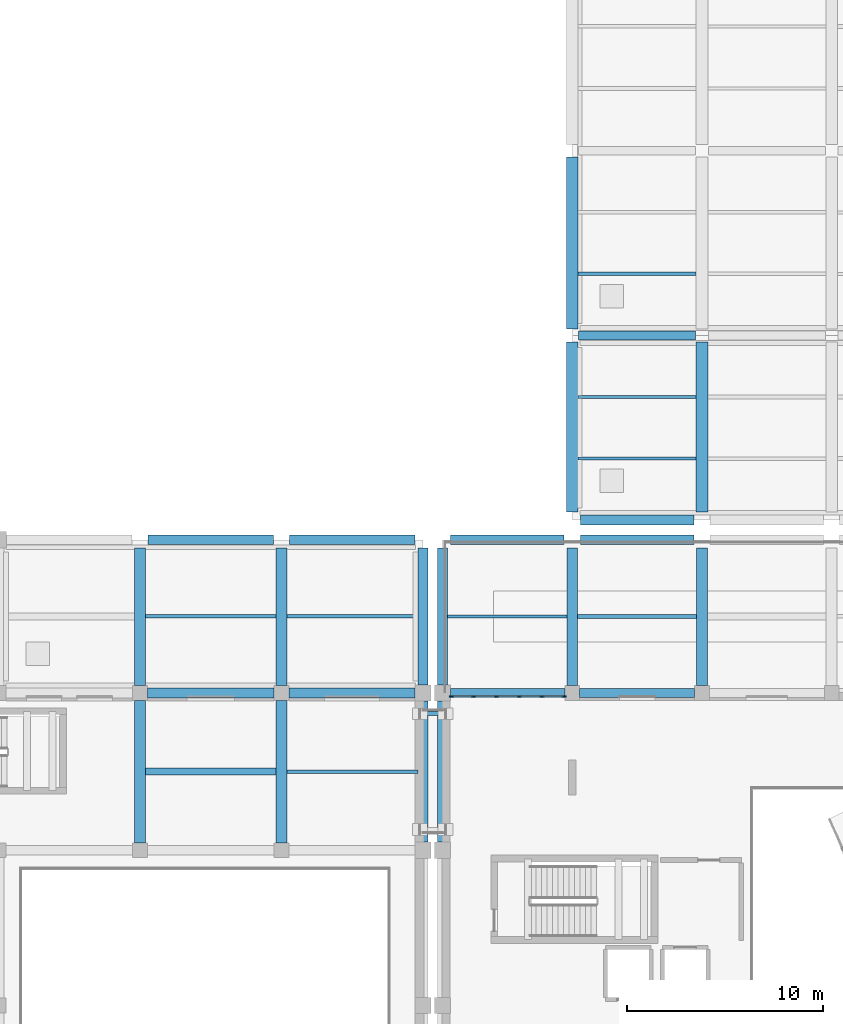
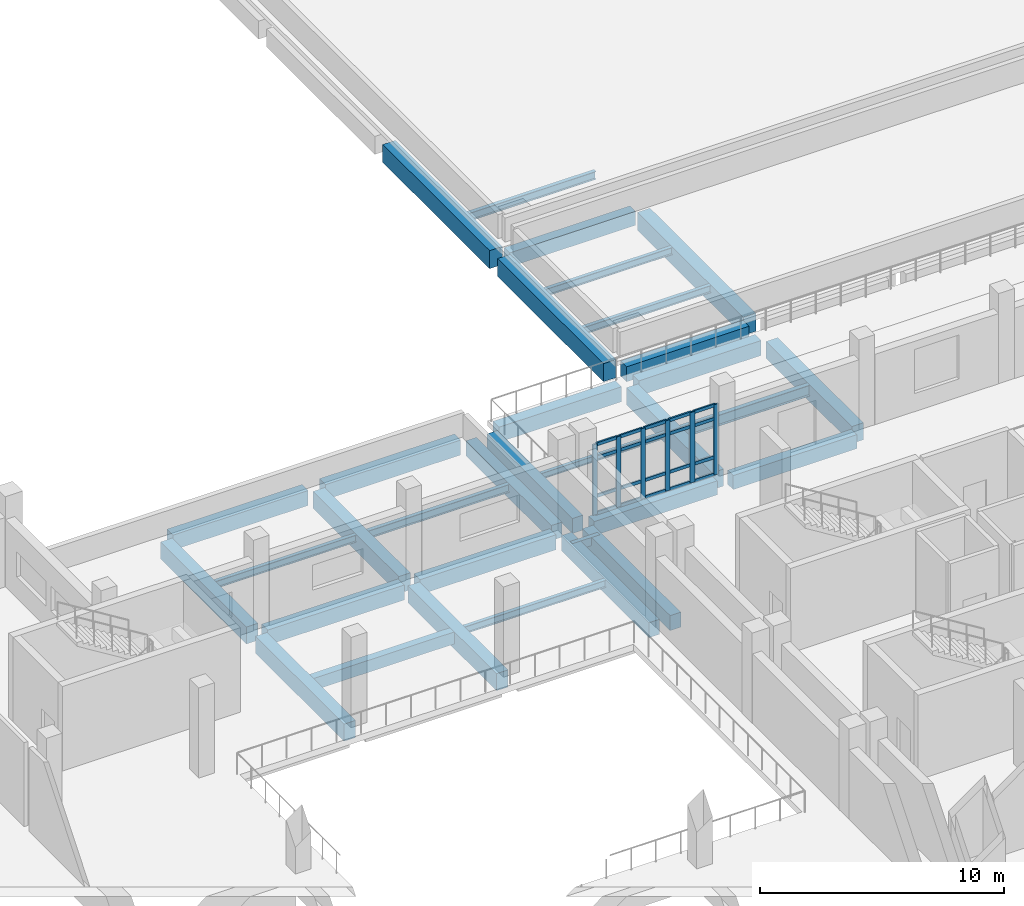
# One storey, part 20 of 54: 33 beams, 26 members, 1 element without a shape of its own.
"""IFC4 building model written with IfcOpenShell, lengths in metres."""

from ifc_helpers import new_model, si_unit, direction, frame, origin, origin_2d, place, context, subcontext, project, spatial, rectangle, hollow_rectangle, i_section, extrude, material, layer, layer_set, material_profile, profile_set, type_object, element, aggregate, save


model = new_model("IFC4")

# Units and contexts
model_context = context("Model", 3, precision=1e-05, world=origin(), true_north=direction((0.0, 1.0)))
body_context = subcontext(model_context, "Body", "Model", "MODEL_VIEW")
ifc_project = project(units=[si_unit("LENGTHUNIT", "METRE"), si_unit("AREAUNIT", "SQUARE_METRE"), si_unit("VOLUMEUNIT", "CUBIC_METRE"), si_unit("PLANEANGLEUNIT", "RADIAN"), si_unit("MASSUNIT", "GRAM", prefix="KILO")], contexts=[model_context])

# Site, building, storey
site_placement = place(None, origin())
site = spatial("IfcSite", under=ifc_project, at=site_placement, CompositionType="ELEMENT")
building_placement = place(site_placement, origin())
building = spatial("IfcBuilding", under=site, at=building_placement, Name="Kelarvand Opera House", CompositionType="ELEMENT")
storey_placement = place(building_placement, frame((0.0, 0.0, 15.0)))
storey = spatial("IfcBuildingStorey", under=building, at=storey_placement, Name="L03", CompositionType="ELEMENT", Elevation=15.0)

# Curtain wall, members
ifc_material_1 = material(Name="Thermally broken aluminium and low-E glazing", Category="aluminium")
ifc_layer = layer(ifc_material_1, 0.219970703125, Name="Thermally broken aluminium and low-E glazing", Category="aluminium")
ifc_layer_set = layer_set([ifc_layer], Name="Thermally broken aluminium and low-E glazing")
curtain_wall_type = type_object("IfcCurtainWallType", Name="Unitised Low-E Curtain Wall 5795x3520 Mod 1150 CWF-08", PredefinedType="USERDEFINED", material=ifc_layer_set)
curtain_wall_placement = place(storey_placement, origin())
curtain_wall = element("IfcCurtainWall", 1, at=curtain_wall_placement, inside=storey, type_object=curtain_wall_type, Name="V1 L03 Curtain Wall CWF-08 (23)", ObjectType="UNITISED CURTAIN WALL", PredefinedType="USERDEFINED")
ifc_material_2 = material(Name="Thermally broken anodised aluminium", Category="aluminium")
ifc_material_profile_1 = material_profile(ifc_material_2, rectangle(XDim=0.074951171875, YDim=0.219970703125, at=origin_2d()), Name="ALU MULLION 75x220", Category="aluminium")
ifc_profile_set_1 = profile_set([ifc_material_profile_1], Name="Thermally broken anodised aluminium")
member_type_1 = type_object("IfcMemberType", Name="Curtain Wall Mullion 75x220 Heavy Plaza", PredefinedType="MULLION", material=ifc_profile_set_1)
member_1_placement = place(storey_placement, frame((89.45751953125, 78.219970703125, 0.0), z_axis=(0.0, 0.0, 1.0), x_axis=(0.0, 1.0, 0.0)))
member_1 = element("IfcMember", 2, at=member_1_placement, type_object=member_type_1, Name="CWF-08 mullion 1", PredefinedType="MULLION", context=body_context, shape_type="SweptSolid", body=[
    extrude(rectangle(XDim=0.074951171875, YDim=0.219970703125, at=origin_2d()), origin(), (0.0, 0.0, 1.0), 3.52001953125),
])
member_2_placement = place(storey_placement, frame((90.5791015625, 78.219970703125, 0.0), z_axis=(0.0, 0.0, 1.0), x_axis=(0.0, 1.0, 0.0)))
member_2 = element("IfcMember", 3, at=member_2_placement, type_object=member_type_1, Name="CWF-08 mullion 2", PredefinedType="MULLION", context=body_context, shape_type="SweptSolid", body=[
    extrude(rectangle(XDim=0.074951171875, YDim=0.219970703125, at=origin_2d()), origin(), (0.0, 0.0, 1.0), 3.52001953125),
])
member_3_placement = place(storey_placement, frame((91.738037109375, 78.219970703125, 0.0), z_axis=(0.0, 0.0, 1.0), x_axis=(0.0, 1.0, 0.0)))
member_3 = element("IfcMember", 4, at=member_3_placement, type_object=member_type_1, Name="CWF-08 mullion 3", PredefinedType="MULLION", context=body_context, shape_type="SweptSolid", body=[
    extrude(rectangle(XDim=0.074951171875, YDim=0.219970703125, at=origin_2d()), origin(), (0.0, 0.0, 1.0), 3.52001953125),
])
member_4_placement = place(storey_placement, frame((92.89697265625, 78.219970703125, 0.0), z_axis=(0.0, 0.0, 1.0), x_axis=(0.0, 1.0, 0.0)))
member_4 = element("IfcMember", 5, at=member_4_placement, type_object=member_type_1, Name="CWF-08 mullion 4", PredefinedType="MULLION", context=body_context, shape_type="SweptSolid", body=[
    extrude(rectangle(XDim=0.074951171875, YDim=0.219970703125, at=origin_2d()), origin(), (0.0, 0.0, 1.0), 3.52001953125),
])
member_5_placement = place(storey_placement, frame((94.055908203125, 78.219970703125, 0.0), z_axis=(0.0, 0.0, 1.0), x_axis=(0.0, 1.0, 0.0)))
member_5 = element("IfcMember", 6, at=member_5_placement, type_object=member_type_1, Name="CWF-08 mullion 5", PredefinedType="MULLION", context=body_context, shape_type="SweptSolid", body=[
    extrude(rectangle(XDim=0.074951171875, YDim=0.219970703125, at=origin_2d()), origin(), (0.0, 0.0, 1.0), 3.52001953125),
])
member_6_placement = place(storey_placement, frame((95.177490234375, 78.219970703125, 0.0), z_axis=(0.0, 0.0, 1.0), x_axis=(0.0, 1.0, 0.0)))
member_6 = element("IfcMember", 7, at=member_6_placement, type_object=member_type_1, Name="CWF-08 mullion 6", PredefinedType="MULLION", context=body_context, shape_type="SweptSolid", body=[
    extrude(rectangle(XDim=0.074951171875, YDim=0.219970703125, at=origin_2d()), origin(), (0.0, 0.0, 1.0), 3.52001953125),
])
ifc_material_profile_2 = material_profile(ifc_material_2, rectangle(XDim=0.074951171875, YDim=0.159912109375, at=origin_2d()), Name="ALU TRANSOM 75x160", Category="aluminium")
ifc_profile_set_2 = profile_set([ifc_material_profile_2], Name="Thermally broken anodised aluminium")
member_type_2 = type_object("IfcMemberType", Name="Curtain Wall Transom 75x160 Heavy Plaza", PredefinedType="USERDEFINED", material=ifc_profile_set_2)
member_7_placement = place(storey_placement, frame((89.4951171875, 78.219970703125, 0.03759765625), z_axis=(1.0, 0.0, 0.0), x_axis=(0.0, 1.0, 0.0)))
member_7 = element("IfcMember", 8, at=member_7_placement, type_object=member_type_2, Name="CWF-08 transom 1.1", ObjectType="TRANSOM", PredefinedType="USERDEFINED", context=body_context, shape_type="SweptSolid", body=[
    extrude(rectangle(XDim=0.074951171875, YDim=0.159912109375, at=origin_2d()), origin(), (0.0, 0.0, 1.0), 1.04638671875),
])
member_8_placement = place(storey_placement, frame((89.4951171875, 78.219970703125, 0.89990234375), z_axis=(1.0, 0.0, 0.0), x_axis=(0.0, 1.0, 0.0)))
member_8 = element("IfcMember", 9, at=member_8_placement, type_object=member_type_2, Name="CWF-08 transom 1.2", ObjectType="TRANSOM", PredefinedType="USERDEFINED", context=body_context, shape_type="SweptSolid", body=[
    extrude(rectangle(XDim=0.074951171875, YDim=0.159912109375, at=origin_2d()), origin(), (0.0, 0.0, 1.0), 1.04638671875),
])
member_9_placement = place(storey_placement, frame((89.4951171875, 78.219970703125, 2.820068359375), z_axis=(1.0, 0.0, 0.0), x_axis=(0.0, 1.0, 0.0)))
member_9 = element("IfcMember", 10, at=member_9_placement, type_object=member_type_2, Name="CWF-08 transom 1.3", ObjectType="TRANSOM", PredefinedType="USERDEFINED", context=body_context, shape_type="SweptSolid", body=[
    extrude(rectangle(XDim=0.074951171875, YDim=0.159912109375, at=origin_2d()), origin(), (0.0, 0.0, 1.0), 1.04638671875),
])
member_10_placement = place(storey_placement, frame((89.4951171875, 78.219970703125, 3.482421875), z_axis=(1.0, 0.0, 0.0), x_axis=(0.0, 1.0, 0.0)))
member_10 = element("IfcMember", 11, at=member_10_placement, type_object=member_type_2, Name="CWF-08 transom 1.4", ObjectType="TRANSOM", PredefinedType="USERDEFINED", context=body_context, shape_type="SweptSolid", body=[
    extrude(rectangle(XDim=0.074951171875, YDim=0.159912109375, at=origin_2d()), origin(), (0.0, 0.0, 1.0), 1.04638671875),
])
member_11_placement = place(storey_placement, frame((90.616455078125, 78.219970703125, 0.03759765625), z_axis=(1.0, 0.0, 0.0), x_axis=(0.0, 1.0, 0.0)))
member_11 = element("IfcMember", 12, at=member_11_placement, type_object=member_type_2, Name="CWF-08 transom 2.1", ObjectType="TRANSOM", PredefinedType="USERDEFINED", context=body_context, shape_type="SweptSolid", body=[
    extrude(rectangle(XDim=0.074951171875, YDim=0.159912109375, at=origin_2d()), origin(), (0.0, 0.0, 1.0), 1.083984375),
])
member_12_placement = place(storey_placement, frame((90.616455078125, 78.219970703125, 0.89990234375), z_axis=(1.0, 0.0, 0.0), x_axis=(0.0, 1.0, 0.0)))
member_12 = element("IfcMember", 13, at=member_12_placement, type_object=member_type_2, Name="CWF-08 transom 2.2", ObjectType="TRANSOM", PredefinedType="USERDEFINED", context=body_context, shape_type="SweptSolid", body=[
    extrude(rectangle(XDim=0.074951171875, YDim=0.159912109375, at=origin_2d()), origin(), (0.0, 0.0, 1.0), 1.083984375),
])
member_13_placement = place(storey_placement, frame((90.616455078125, 78.219970703125, 2.820068359375), z_axis=(1.0, 0.0, 0.0), x_axis=(0.0, 1.0, 0.0)))
member_13 = element("IfcMember", 14, at=member_13_placement, type_object=member_type_2, Name="CWF-08 transom 2.3", ObjectType="TRANSOM", PredefinedType="USERDEFINED", context=body_context, shape_type="SweptSolid", body=[
    extrude(rectangle(XDim=0.074951171875, YDim=0.159912109375, at=origin_2d()), origin(), (0.0, 0.0, 1.0), 1.083984375),
])
member_14_placement = place(storey_placement, frame((90.616455078125, 78.219970703125, 3.482421875), z_axis=(1.0, 0.0, 0.0), x_axis=(0.0, 1.0, 0.0)))
member_14 = element("IfcMember", 15, at=member_14_placement, type_object=member_type_2, Name="CWF-08 transom 2.4", ObjectType="TRANSOM", PredefinedType="USERDEFINED", context=body_context, shape_type="SweptSolid", body=[
    extrude(rectangle(XDim=0.074951171875, YDim=0.159912109375, at=origin_2d()), origin(), (0.0, 0.0, 1.0), 1.083984375),
])
member_15_placement = place(storey_placement, frame((91.775390625, 78.219970703125, 0.03759765625), z_axis=(1.0, 0.0, 0.0), x_axis=(0.0, 1.0, 0.0)))
member_15 = element("IfcMember", 16, at=member_15_placement, type_object=member_type_2, Name="CWF-08 transom 3.1", ObjectType="TRANSOM", PredefinedType="USERDEFINED", context=body_context, shape_type="SweptSolid", body=[
    extrude(rectangle(XDim=0.074951171875, YDim=0.159912109375, at=origin_2d()), origin(), (0.0, 0.0, 1.0), 1.084228515625),
])
member_16_placement = place(storey_placement, frame((91.775390625, 78.219970703125, 0.89990234375), z_axis=(1.0, 0.0, 0.0), x_axis=(0.0, 1.0, 0.0)))
member_16 = element("IfcMember", 17, at=member_16_placement, type_object=member_type_2, Name="CWF-08 transom 3.2", ObjectType="TRANSOM", PredefinedType="USERDEFINED", context=body_context, shape_type="SweptSolid", body=[
    extrude(rectangle(XDim=0.074951171875, YDim=0.159912109375, at=origin_2d()), origin(), (0.0, 0.0, 1.0), 1.084228515625),
])
member_17_placement = place(storey_placement, frame((91.775390625, 78.219970703125, 2.820068359375), z_axis=(1.0, 0.0, 0.0), x_axis=(0.0, 1.0, 0.0)))
member_17 = element("IfcMember", 18, at=member_17_placement, type_object=member_type_2, Name="CWF-08 transom 3.3", ObjectType="TRANSOM", PredefinedType="USERDEFINED", context=body_context, shape_type="SweptSolid", body=[
    extrude(rectangle(XDim=0.074951171875, YDim=0.159912109375, at=origin_2d()), origin(), (0.0, 0.0, 1.0), 1.084228515625),
])
member_18_placement = place(storey_placement, frame((91.775390625, 78.219970703125, 3.482421875), z_axis=(1.0, 0.0, 0.0), x_axis=(0.0, 1.0, 0.0)))
member_18 = element("IfcMember", 19, at=member_18_placement, type_object=member_type_2, Name="CWF-08 transom 3.4", ObjectType="TRANSOM", PredefinedType="USERDEFINED", context=body_context, shape_type="SweptSolid", body=[
    extrude(rectangle(XDim=0.074951171875, YDim=0.159912109375, at=origin_2d()), origin(), (0.0, 0.0, 1.0), 1.084228515625),
])
member_19_placement = place(storey_placement, frame((92.9345703125, 78.219970703125, 0.03759765625), z_axis=(1.0, 0.0, 0.0), x_axis=(0.0, 1.0, 0.0)))
member_19 = element("IfcMember", 20, at=member_19_placement, type_object=member_type_2, Name="CWF-08 transom 4.1", ObjectType="TRANSOM", PredefinedType="USERDEFINED", context=body_context, shape_type="SweptSolid", body=[
    extrude(rectangle(XDim=0.074951171875, YDim=0.159912109375, at=origin_2d()), origin(), (0.0, 0.0, 1.0), 1.083984375),
])
member_20_placement = place(storey_placement, frame((92.9345703125, 78.219970703125, 0.89990234375), z_axis=(1.0, 0.0, 0.0), x_axis=(0.0, 1.0, 0.0)))
member_20 = element("IfcMember", 21, at=member_20_placement, type_object=member_type_2, Name="CWF-08 transom 4.2", ObjectType="TRANSOM", PredefinedType="USERDEFINED", context=body_context, shape_type="SweptSolid", body=[
    extrude(rectangle(XDim=0.074951171875, YDim=0.159912109375, at=origin_2d()), origin(), (0.0, 0.0, 1.0), 1.083984375),
])
member_21_placement = place(storey_placement, frame((92.9345703125, 78.219970703125, 2.820068359375), z_axis=(1.0, 0.0, 0.0), x_axis=(0.0, 1.0, 0.0)))
member_21 = element("IfcMember", 22, at=member_21_placement, type_object=member_type_2, Name="CWF-08 transom 4.3", ObjectType="TRANSOM", PredefinedType="USERDEFINED", context=body_context, shape_type="SweptSolid", body=[
    extrude(rectangle(XDim=0.074951171875, YDim=0.159912109375, at=origin_2d()), origin(), (0.0, 0.0, 1.0), 1.083984375),
])
member_22_placement = place(storey_placement, frame((92.9345703125, 78.219970703125, 3.482421875), z_axis=(1.0, 0.0, 0.0), x_axis=(0.0, 1.0, 0.0)))
member_22 = element("IfcMember", 23, at=member_22_placement, type_object=member_type_2, Name="CWF-08 transom 4.4", ObjectType="TRANSOM", PredefinedType="USERDEFINED", context=body_context, shape_type="SweptSolid", body=[
    extrude(rectangle(XDim=0.074951171875, YDim=0.159912109375, at=origin_2d()), origin(), (0.0, 0.0, 1.0), 1.083984375),
])
member_23_placement = place(storey_placement, frame((94.093505859375, 78.219970703125, 0.03759765625), z_axis=(1.0, 0.0, 0.0), x_axis=(0.0, 1.0, 0.0)))
member_23 = element("IfcMember", 24, at=member_23_placement, type_object=member_type_2, Name="CWF-08 transom 5.1", ObjectType="TRANSOM", PredefinedType="USERDEFINED", context=body_context, shape_type="SweptSolid", body=[
    extrude(rectangle(XDim=0.074951171875, YDim=0.159912109375, at=origin_2d()), origin(), (0.0, 0.0, 1.0), 1.04638671875),
])
member_24_placement = place(storey_placement, frame((94.093505859375, 78.219970703125, 0.89990234375), z_axis=(1.0, 0.0, 0.0), x_axis=(0.0, 1.0, 0.0)))
member_24 = element("IfcMember", 25, at=member_24_placement, type_object=member_type_2, Name="CWF-08 transom 5.2", ObjectType="TRANSOM", PredefinedType="USERDEFINED", context=body_context, shape_type="SweptSolid", body=[
    extrude(rectangle(XDim=0.074951171875, YDim=0.159912109375, at=origin_2d()), origin(), (0.0, 0.0, 1.0), 1.04638671875),
])
member_25_placement = place(storey_placement, frame((94.093505859375, 78.219970703125, 2.820068359375), z_axis=(1.0, 0.0, 0.0), x_axis=(0.0, 1.0, 0.0)))
member_25 = element("IfcMember", 26, at=member_25_placement, type_object=member_type_2, Name="CWF-08 transom 5.3", ObjectType="TRANSOM", PredefinedType="USERDEFINED", context=body_context, shape_type="SweptSolid", body=[
    extrude(rectangle(XDim=0.074951171875, YDim=0.159912109375, at=origin_2d()), origin(), (0.0, 0.0, 1.0), 1.04638671875),
])
member_26_placement = place(storey_placement, frame((94.093505859375, 78.219970703125, 3.482421875), z_axis=(1.0, 0.0, 0.0), x_axis=(0.0, 1.0, 0.0)))
member_26 = element("IfcMember", 27, at=member_26_placement, type_object=member_type_2, Name="CWF-08 transom 5.4", ObjectType="TRANSOM", PredefinedType="USERDEFINED", context=body_context, shape_type="SweptSolid", body=[
    extrude(rectangle(XDim=0.074951171875, YDim=0.159912109375, at=origin_2d()), origin(), (0.0, 0.0, 1.0), 1.04638671875),
])
aggregate(curtain_wall, [member_1, member_2, member_3, member_4, member_5, member_6, member_7, member_8, member_9, member_10, member_11, member_12, member_13, member_14, member_15, member_16, member_17, member_18, member_19, member_20, member_21, member_22, member_23, member_24, member_25, member_26])

# Beams
ifc_material_3 = material(Name="Concrete C35/45", Category="concrete")
ifc_material_profile_3 = material_profile(ifc_material_3, rectangle(XDim=0.35009765625, YDim=0.60009765625, at=origin_2d()), Name="RC 350x600", Category="concrete")
ifc_profile_set_3 = profile_set([ifc_material_profile_3], Name="Concrete C35/45")
beam_type_1 = type_object("IfcBeamType", Name="Structural Beam RC 350x600 BM-RC350x600", PredefinedType="BEAM", material=ifc_profile_set_3)
beam_1_placement = place(storey_placement, frame((73.875, 74.39990234375, -0.6201171875), z_axis=(1.0, 0.0, 0.0), x_axis=(0.0, 1.0, 0.0)))
element("IfcBeam", 28, at=beam_1_placement, inside=storey, type_object=beam_type_1, Name="V2 L03 Beam BM-RC350x600", PredefinedType="BEAM", context=body_context, shape_type="SweptSolid", body=[
    extrude(rectangle(XDim=0.35009765625, YDim=0.60009765625, at=origin_2d()), origin(), (0.0, 0.0, 1.0), 6.64990234375),
])
ifc_material_4 = material(Name="Concrete C40/50", Category="concrete")
ifc_material_profile_4 = material_profile(ifc_material_4, rectangle(XDim=0.449951171875, YDim=0.699951171875, at=origin_2d()), Name="RC 450x700", Category="concrete")
ifc_profile_set_4 = profile_set([ifc_material_profile_4], Name="Concrete C40/50")
beam_type_2 = type_object("IfcBeamType", Name="Structural Beam RC 450x700 BM-RC450x700", PredefinedType="BEAM", material=ifc_profile_set_4)
beam_2_placement = place(storey_placement, frame((89.409912109375, 78.39990234375, -0.669921875), z_axis=(1.0, 0.0, 0.0), x_axis=(0.0, 1.0, 0.0)))
element("IfcBeam", 29, at=beam_2_placement, inside=storey, type_object=beam_type_2, Name="V1 L03 Beam BM-RC450x700", PredefinedType="BEAM", context=body_context, shape_type="SweptSolid", body=[
    extrude(rectangle(XDim=0.449951171875, YDim=0.699951171875, at=origin_2d()), origin(), (0.0, 0.0, 1.0), 5.815185546875),
])
beam_3_placement = place(storey_placement, frame((95.97509765625, 78.39990234375, -0.669921875), z_axis=(1.0, 0.0, 0.0), x_axis=(0.0, 1.0, 0.0)))
element("IfcBeam", 30, at=beam_3_placement, inside=storey, type_object=beam_type_2, Name="V1 L03 Beam BM-RC450x700", PredefinedType="BEAM", context=body_context, shape_type="SweptSolid", body=[
    extrude(rectangle(XDim=0.449951171875, YDim=0.699951171875, at=origin_2d()), origin(), (0.0, 0.0, 1.0), 5.849853515625),
])
beam_4_placement = place(storey_placement, frame((95.925048828125, 96.60009765625, -0.570068359375), z_axis=(1.0, 0.0, 0.0), x_axis=(0.0, 1.0, 0.0)))
element("IfcBeam", 31, at=beam_4_placement, inside=storey, type_object=beam_type_2, Name="V5 L03 Beam BM-RC450x700", PredefinedType="BEAM", context=body_context, shape_type="SweptSolid", body=[
    extrude(rectangle(XDim=0.449951171875, YDim=0.699951171875, at=origin_2d()), origin(), (0.0, 0.0, 1.0), 5.949951171875),
])
ifc_material_profile_5 = material_profile(ifc_material_4, rectangle(XDim=0.5, YDim=0.75, at=origin_2d()), Name="RC 500x750", Category="concrete")
ifc_profile_set_5 = profile_set([ifc_material_profile_5], Name="Concrete C40/50")
beam_type_3 = type_object("IfcBeamType", Name="Structural Beam RC 500x750 BM-RC500x750", PredefinedType="BEAM", material=ifc_profile_set_5)
beam_5_placement = place(storey_placement, frame((73.97509765625, 78.39990234375, -0.695068359375), z_axis=(1.0, 0.0, 0.0), x_axis=(0.0, 1.0, 0.0)))
element("IfcBeam", 32, at=beam_5_placement, inside=storey, type_object=beam_type_3, Name="V2 L03 Beam BM-RC500x750", PredefinedType="BEAM", context=body_context, shape_type="SweptSolid", body=[
    extrude(rectangle(XDim=0.5, YDim=0.75, at=origin_2d()), origin(), (0.0, 0.0, 1.0), 6.449951171875),
])
beam_6_placement = place(storey_placement, frame((81.175048828125, 78.39990234375, -0.695068359375), z_axis=(1.0, 0.0, 0.0), x_axis=(0.0, 1.0, 0.0)))
element("IfcBeam", 33, at=beam_6_placement, inside=storey, type_object=beam_type_3, Name="V2 L03 Beam BM-RC500x750", PredefinedType="BEAM", context=body_context, shape_type="SweptSolid", body=[
    extrude(rectangle(XDim=0.5, YDim=0.75, at=origin_2d()), origin(), (0.0, 0.0, 1.0), 6.4150390625),
])
ifc_material_profile_6 = material_profile(ifc_material_4, rectangle(XDim=0.550048828125, YDim=0.85009765625, at=origin_2d()), Name="RC 550x850", Category="concrete")
ifc_profile_set_6 = profile_set([ifc_material_profile_6], Name="Concrete C40/50")
beam_type_4 = type_object("IfcBeamType", Name="Structural Beam RC 550x850 BM-RC550x850", PredefinedType="BEAM", material=ifc_profile_set_6)
for number, where, z_axis, x_axis, name in (
    (34, (95.60009765625, 78.77490234375, -0.7451171875), (0.0, 1.0, 0.0), (-1.0, 0.0, 0.0), "V1 L03 Beam BM-RC550x850"),
    (35, (102.199951171875, 78.77490234375, -0.7451171875), (0.0, 1.0, 0.0), (-1.0, 0.0, 0.0), "V1 L03 Beam BM-RC550x850"),
):
    element("IfcBeam", number, at=place(storey_placement, frame(where, z_axis=z_axis, x_axis=x_axis)), inside=storey, type_object=beam_type_4, Name=name, PredefinedType="BEAM", context=body_context, shape_type="SweptSolid", body=[
        extrude(rectangle(XDim=0.550048828125, YDim=0.85009765625, at=origin_2d()), origin(), (0.0, 0.0, 1.0), 7.01513671875),
    ])
beam_7_placement = place(storey_placement, frame((73.60009765625, 70.77490234375, -0.7451171875), z_axis=(0.0, 1.0, 0.0), x_axis=(-1.0, 0.0, 0.0)))
element("IfcBeam", 36, at=beam_7_placement, inside=storey, type_object=beam_type_4, Name="V2 L03 Beam BM-RC550x850", PredefinedType="BEAM", context=body_context, shape_type="SweptSolid", body=[
    extrude(rectangle(XDim=0.550048828125, YDim=0.85009765625, at=origin_2d()), origin(), (0.0, 0.0, 1.0), 7.25),
])
beam_8_placement = place(storey_placement, frame((73.60009765625, 78.77490234375, -0.7451171875), z_axis=(0.0, 1.0, 0.0), x_axis=(-1.0, 0.0, 0.0)))
element("IfcBeam", 37, at=beam_8_placement, inside=storey, type_object=beam_type_4, Name="V2 L03 Beam BM-RC550x850", PredefinedType="BEAM", context=body_context, shape_type="SweptSolid", body=[
    extrude(rectangle(XDim=0.550048828125, YDim=0.85009765625, at=origin_2d()), origin(), (0.0, 0.0, 1.0), 7.01513671875),
])
beam_9_placement = place(storey_placement, frame((80.800048828125, 70.77490234375, -0.7451171875), z_axis=(0.0, 1.0, 0.0), x_axis=(-1.0, 0.0, 0.0)))
element("IfcBeam", 38, at=beam_9_placement, inside=storey, type_object=beam_type_4, Name="V2 L03 Beam BM-RC550x850", PredefinedType="BEAM", context=body_context, shape_type="SweptSolid", body=[
    extrude(rectangle(XDim=0.550048828125, YDim=0.85009765625, at=origin_2d()), origin(), (0.0, 0.0, 1.0), 7.25),
])
beam_10_placement = place(storey_placement, frame((80.800048828125, 78.77490234375, -0.7451171875), z_axis=(0.0, 1.0, 0.0), x_axis=(-1.0, 0.0, 0.0)))
element("IfcBeam", 39, at=beam_10_placement, inside=storey, type_object=beam_type_4, Name="V2 L03 Beam BM-RC550x850", PredefinedType="BEAM", context=body_context, shape_type="SweptSolid", body=[
    extrude(rectangle(XDim=0.550048828125, YDim=0.85009765625, at=origin_2d()), origin(), (0.0, 0.0, 1.0), 7.01513671875),
])
ifc_material_profile_7 = material_profile(ifc_material_4, rectangle(XDim=0.60009765625, YDim=0.89990234375, at=origin_2d()), Name="RC 600x900", Category="concrete")
ifc_profile_set_7 = profile_set([ifc_material_profile_7], Name="Concrete C40/50")
beam_type_5 = type_object("IfcBeamType", Name="Structural Beam RC 600x900 BM-RC600x900", PredefinedType="BEAM", material=ifc_profile_set_7)
beam_11_placement = place(storey_placement, frame((102.199951171875, 87.610107421875, -0.669921875), z_axis=(0.0, 1.0, 0.0), x_axis=(-1.0, 0.0, 0.0)))
element("IfcBeam", 40, at=beam_11_placement, inside=storey, type_object=beam_type_5, Name="V5 L03 Beam BM-RC600x900", PredefinedType="BEAM", context=body_context, shape_type="SweptSolid", body=[
    extrude(rectangle(XDim=0.60009765625, YDim=0.89990234375, at=origin_2d()), origin(), (0.0, 0.0, 1.0), 8.664794921875),
])
ifc_material_5 = material(Name="Steel S355", Category="steel")
ifc_material_profile_8 = material_profile(ifc_material_5, hollow_rectangle(XDim=0.199951171875, YDim=0.39990234375, WallThickness=0.01611328125, at=origin_2d()), Name="RHS 400x200x16.0", Category="steel")
ifc_profile_set_8 = profile_set([ifc_material_profile_8], Name="Steel S355")
beam_type_6 = type_object("IfcBeamType", Name="Structural Beam RHS 400x200x16.0 BM-RHS400", PredefinedType="BEAM", material=ifc_profile_set_8)
beam_12_placement = place(storey_placement, frame((87.85009765625, 77.35009765625, -0.52001953125), z_axis=(1.0, 0.0, 0.0), x_axis=(0.0, 1.0, 0.0)))
element("IfcBeam", 41, at=beam_12_placement, inside=storey, type_object=beam_type_6, Name="Seismic Sliding Corbel Beam BR-JP-N L03 2", PredefinedType="BEAM", context=body_context, shape_type="SweptSolid", body=[
    extrude(hollow_rectangle(XDim=0.199951171875, YDim=0.39990234375, WallThickness=0.01611328125, at=origin_2d()), origin(), (0.0, 0.0, 1.0), 1.2998046875),
])
ifc_material_profile_9 = material_profile(ifc_material_5, i_section(OverallWidth=0.14990234375, OverallDepth=0.300048828125, WebThickness=0.007080078125, FlangeThickness=0.0107421875, at=origin_2d()), Name="IPE 300", Category="steel")
ifc_profile_set_9 = profile_set([ifc_material_profile_9], Name="Steel S355")
beam_type_7 = type_object("IfcBeamType", Name="Structural Joist IPE 300 JS-IPE300", PredefinedType="JOIST", material=ifc_profile_set_9)
beam_13_placement = place(storey_placement, frame((89.25, 82.300048828125, -0.469970703125), z_axis=(1.0, 0.0, 0.0), x_axis=(0.0, 1.0, 0.0)))
element("IfcBeam", 42, at=beam_13_placement, inside=storey, type_object=beam_type_7, Name="V1 L03 Beam JS-IPE300", PredefinedType="JOIST", context=body_context, shape_type="SweptSolid", body=[
    extrude(i_section(OverallWidth=0.14990234375, OverallDepth=0.300048828125, WebThickness=0.007080078125, FlangeThickness=0.0107421875, at=origin_2d()), origin(), (0.0, 0.0, 1.0), 6.074951171875),
])
ifc_material_profile_10 = material_profile(ifc_material_5, i_section(OverallWidth=0.169921875, OverallDepth=0.360107421875, WebThickness=0.008056640625, FlangeThickness=0.0126953125, at=origin_2d()), Name="IPE 360", Category="steel")
ifc_profile_set_10 = profile_set([ifc_material_profile_10], Name="Steel S355")
beam_type_8 = type_object("IfcBeamType", Name="Structural Joist IPE 360 JS-IPE360", PredefinedType="JOIST", material=ifc_profile_set_10)
beam_14_placement = place(storey_placement, frame((73.875, 82.300048828125, -0.5), z_axis=(1.0, 0.0, 0.0), x_axis=(0.0, 1.0, 0.0)))
element("IfcBeam", 43, at=beam_14_placement, inside=storey, type_object=beam_type_8, Name="V2 L03 Beam JS-IPE360", PredefinedType="JOIST", context=body_context, shape_type="SweptSolid", body=[
    extrude(i_section(OverallWidth=0.169921875, OverallDepth=0.360107421875, WebThickness=0.008056640625, FlangeThickness=0.0126953125, at=origin_2d()), origin(), (0.0, 0.0, 1.0), 6.64990234375),
])
beam_15_placement = place(storey_placement, frame((81.074951171875, 74.39990234375, -0.5), z_axis=(1.0, 0.0, 0.0), x_axis=(0.0, 1.0, 0.0)))
element("IfcBeam", 44, at=beam_15_placement, inside=storey, type_object=beam_type_8, Name="V2 L03 Beam JS-IPE360", PredefinedType="JOIST", context=body_context, shape_type="SweptSolid", body=[
    extrude(i_section(OverallWidth=0.169921875, OverallDepth=0.360107421875, WebThickness=0.008056640625, FlangeThickness=0.0126953125, at=origin_2d()), origin(), (0.0, 0.0, 1.0), 6.675048828125),
])
for number, where, z_axis, x_axis, name in (
    (45, (95.89990234375, 90.333251953125, -0.39990234375), (1.0, 0.0, 0.0), (0.0, 1.0, 0.0), "V5 L03 Beam JS-IPE360"),
    (46, (95.89990234375, 93.466796875, -0.39990234375), (1.0, 0.0, 0.0), (0.0, 1.0, 0.0), "V5 L03 Beam JS-IPE360"),
):
    element("IfcBeam", number, at=place(storey_placement, frame(where, z_axis=z_axis, x_axis=x_axis)), inside=storey, type_object=beam_type_8, Name=name, PredefinedType="JOIST", context=body_context, shape_type="SweptSolid", body=[
        extrude(i_section(OverallWidth=0.169921875, OverallDepth=0.360107421875, WebThickness=0.008056640625, FlangeThickness=0.0126953125, at=origin_2d()), origin(), (0.0, 0.0, 1.0), 6.0),
    ])
ifc_material_profile_11 = material_profile(ifc_material_5, i_section(OverallWidth=0.179931640625, OverallDepth=0.39990234375, WebThickness=0.008544921875, FlangeThickness=0.013427734375, at=origin_2d()), Name="IPE 400", Category="steel")
ifc_profile_set_11 = profile_set([ifc_material_profile_11], Name="Steel S355")
beam_type_9 = type_object("IfcBeamType", Name="Structural Joist IPE 400 JS-IPE400", PredefinedType="JOIST", material=ifc_profile_set_11)
beam_16_placement = place(storey_placement, frame((81.074951171875, 82.300048828125, -0.52001953125), z_axis=(1.0, 0.0, 0.0), x_axis=(0.0, 1.0, 0.0)))
element("IfcBeam", 47, at=beam_16_placement, inside=storey, type_object=beam_type_9, Name="V2 L03 Beam JS-IPE400", PredefinedType="JOIST", context=body_context, shape_type="SweptSolid", body=[
    extrude(i_section(OverallWidth=0.179931640625, OverallDepth=0.39990234375, WebThickness=0.008544921875, FlangeThickness=0.013427734375, at=origin_2d()), origin(), (0.0, 0.0, 1.0), 6.675048828125),
])
beam_17_placement = place(storey_placement, frame((95.89990234375, 99.7333984375, -0.419921875), z_axis=(1.0, 0.0, 0.0), x_axis=(0.0, 1.0, 0.0)))
element("IfcBeam", 48, at=beam_17_placement, inside=storey, type_object=beam_type_9, Name="V5 L03 Beam JS-IPE400", PredefinedType="JOIST", context=body_context, shape_type="SweptSolid", body=[
    extrude(i_section(OverallWidth=0.179931640625, OverallDepth=0.39990234375, WebThickness=0.008544921875, FlangeThickness=0.013427734375, at=origin_2d()), origin(), (0.0, 0.0, 1.0), 6.0),
])
ifc_material_profile_12 = material_profile(ifc_material_5, i_section(OverallWidth=0.2099609375, OverallDepth=0.550048828125, WebThickness=0.010986328125, FlangeThickness=0.01708984375, at=origin_2d()), Name="IPE 550", Category="steel")
ifc_profile_set_12 = profile_set([ifc_material_profile_12], Name="Steel S355")
beam_type_10 = type_object("IfcBeamType", Name="Structural Joist IPE 550 JS-IPE550", PredefinedType="JOIST", material=ifc_profile_set_12)
beam_18_placement = place(storey_placement, frame((95.875, 82.300048828125, -0.594970703125), z_axis=(1.0, 0.0, 0.0), x_axis=(0.0, 1.0, 0.0)))
element("IfcBeam", 49, at=beam_18_placement, inside=storey, type_object=beam_type_10, Name="V1 L03 Beam JS-IPE550", PredefinedType="JOIST", context=body_context, shape_type="SweptSolid", body=[
    extrude(i_section(OverallWidth=0.2099609375, OverallDepth=0.550048828125, WebThickness=0.010986328125, FlangeThickness=0.01708984375, at=origin_2d()), origin(), (0.0, 0.0, 1.0), 6.050048828125),
])
ifc_material_profile_13 = material_profile(ifc_material_4, rectangle(XDim=0.5, YDim=0.75, at=origin_2d()), Name="RC 500x750", Category="concrete")
ifc_profile_set_13 = profile_set([ifc_material_profile_13], Name="Concrete C40/50")
beam_type_11 = type_object("IfcBeamType", Name="Structural Spandrel RC 500x750 SP-RC500x750E", PredefinedType="SPANDREL", material=ifc_profile_set_13)
for number, where, z_axis, x_axis, name in (
    (50, (89.409912109375, 86.199951171875, -0.695068359375), (1.0, 0.0, 0.0), (0.0, 1.0, 0.0), "V1 L03 Beam SP-RC500x750E"),
    (51, (96.010009765625, 86.199951171875, -0.695068359375), (1.0, 0.0, 0.0), (0.0, 1.0, 0.0), "V1 L03 Beam SP-RC500x750E"),
):
    element("IfcBeam", number, at=place(storey_placement, frame(where, z_axis=z_axis, x_axis=x_axis)), inside=storey, type_object=beam_type_11, Name=name, PredefinedType="SPANDREL", context=body_context, shape_type="SweptSolid", body=[
        extrude(rectangle(XDim=0.5, YDim=0.75, at=origin_2d()), origin(), (0.0, 0.0, 1.0), 5.780029296875),
    ])
beam_19_placement = place(storey_placement, frame((89.0, 70.81005859375, -0.695068359375), z_axis=(0.0, 1.0, 0.0), x_axis=(-1.0, 0.0, 0.0)))
element("IfcBeam", 52, at=beam_19_placement, inside=storey, type_object=beam_type_11, Name="V1 L03 Beam SP-RC500x750E", PredefinedType="SPANDREL", context=body_context, shape_type="SweptSolid", body=[
    extrude(rectangle(XDim=0.5, YDim=0.75, at=origin_2d()), origin(), (0.0, 0.0, 1.0), 7.179931640625),
])
beam_20_placement = place(storey_placement, frame((89.0, 78.81005859375, -0.695068359375), z_axis=(0.0, 1.0, 0.0), x_axis=(-1.0, 0.0, 0.0)))
element("IfcBeam", 53, at=beam_20_placement, inside=storey, type_object=beam_type_11, Name="V1 L03 Beam SP-RC500x750E", PredefinedType="SPANDREL", context=body_context, shape_type="SweptSolid", body=[
    extrude(rectangle(XDim=0.5, YDim=0.75, at=origin_2d()), origin(), (0.0, 0.0, 1.0), 6.97998046875),
])
beam_21_placement = place(storey_placement, frame((74.010009765625, 86.199951171875, -0.695068359375), z_axis=(1.0, 0.0, 0.0), x_axis=(0.0, 1.0, 0.0)))
element("IfcBeam", 54, at=beam_21_placement, inside=storey, type_object=beam_type_11, Name="V2 L03 Beam SP-RC500x750E", PredefinedType="SPANDREL", context=body_context, shape_type="SweptSolid", body=[
    extrude(rectangle(XDim=0.5, YDim=0.75, at=origin_2d()), origin(), (0.0, 0.0, 1.0), 6.3798828125),
])
beam_22_placement = place(storey_placement, frame((81.2099609375, 86.199951171875, -0.695068359375), z_axis=(1.0, 0.0, 0.0), x_axis=(0.0, 1.0, 0.0)))
element("IfcBeam", 55, at=beam_22_placement, inside=storey, type_object=beam_type_11, Name="V2 L03 Beam SP-RC500x750E", PredefinedType="SPANDREL", context=body_context, shape_type="SweptSolid", body=[
    extrude(rectangle(XDim=0.5, YDim=0.75, at=origin_2d()), origin(), (0.0, 0.0, 1.0), 6.380126953125),
])
beam_23_placement = place(storey_placement, frame((88.0, 70.81005859375, -0.695068359375), z_axis=(0.0, 1.0, 0.0), x_axis=(-1.0, 0.0, 0.0)))
element("IfcBeam", 56, at=beam_23_placement, inside=storey, type_object=beam_type_11, Name="V2 L03 Beam SP-RC500x750E", PredefinedType="SPANDREL", context=body_context, shape_type="SweptSolid", body=[
    extrude(rectangle(XDim=0.5, YDim=0.75, at=origin_2d()), origin(), (0.0, 0.0, 1.0), 7.179931640625),
])
beam_24_placement = place(storey_placement, frame((88.0, 78.81005859375, -0.695068359375), z_axis=(0.0, 1.0, 0.0), x_axis=(-1.0, 0.0, 0.0)))
element("IfcBeam", 57, at=beam_24_placement, inside=storey, type_object=beam_type_11, Name="V2 L03 Beam SP-RC500x750E", PredefinedType="SPANDREL", context=body_context, shape_type="SweptSolid", body=[
    extrude(rectangle(XDim=0.5, YDim=0.75, at=origin_2d()), origin(), (0.0, 0.0, 1.0), 6.97998046875),
])
beam_25_placement = place(storey_placement, frame((96.010009765625, 87.199951171875, -0.594970703125), z_axis=(1.0, 0.0, 0.0), x_axis=(0.0, 1.0, 0.0)))
element("IfcBeam", 58, at=beam_25_placement, inside=storey, type_object=beam_type_11, Name="V5 L03 Beam SP-RC500x750E", PredefinedType="SPANDREL", context=body_context, shape_type="SweptSolid", body=[
    extrude(rectangle(XDim=0.5, YDim=0.75, at=origin_2d()), origin(), (0.0, 0.0, 1.0), 5.780029296875),
])
ifc_material_profile_14 = material_profile(ifc_material_4, rectangle(XDim=0.60009765625, YDim=0.89990234375, at=origin_2d()), Name="RC 600x900", Category="concrete")
ifc_profile_set_14 = profile_set([ifc_material_profile_14], Name="Concrete C40/50")
beam_type_12 = type_object("IfcBeamType", Name="Structural Spandrel RC 600x900 SP-RC600x900E", PredefinedType="SPANDREL", material=ifc_profile_set_14)
beam_26_placement = place(storey_placement, frame((95.60009765625, 87.610107421875, -0.669921875), z_axis=(0.0, 1.0, 0.0), x_axis=(-1.0, 0.0, 0.0)))
element("IfcBeam", 59, at=beam_26_placement, inside=storey, type_object=beam_type_12, Name="V5 L03 Beam SP-RC600x900E", PredefinedType="SPANDREL", context=body_context, shape_type="SweptSolid", body=[
    extrude(rectangle(XDim=0.60009765625, YDim=0.89990234375, at=origin_2d()), origin(), (0.0, 0.0, 1.0), 8.664794921875),
])
beam_27_placement = place(storey_placement, frame((95.60009765625, 96.925048828125, -0.669921875), z_axis=(0.0, 1.0, 0.0), x_axis=(-1.0, 0.0, 0.0)))
element("IfcBeam", 60, at=beam_27_placement, inside=storey, type_object=beam_type_12, Name="V5 L03 Beam SP-RC600x900E", PredefinedType="SPANDREL", context=body_context, shape_type="SweptSolid", body=[
    extrude(rectangle(XDim=0.60009765625, YDim=0.89990234375, at=origin_2d()), origin(), (0.0, 0.0, 1.0), 8.75),
])

save(model, "model.ifc")
